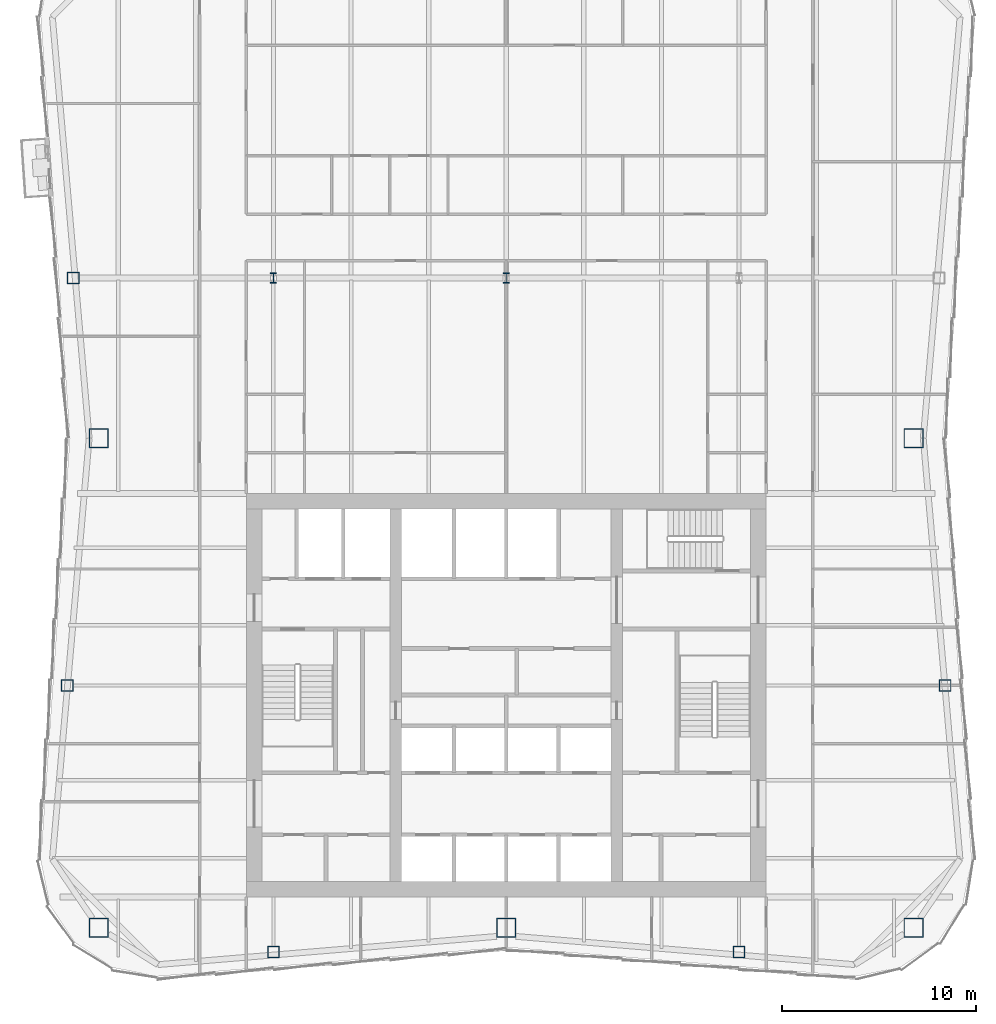
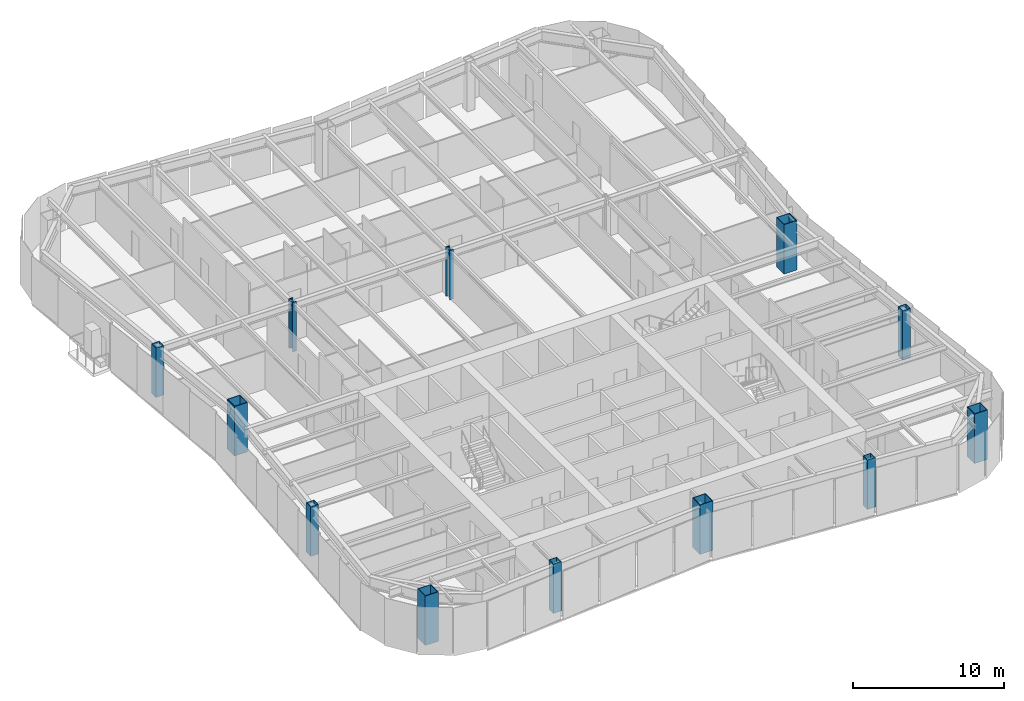
# One storey, part 1 of 12: 12 columns.
"""IFC4 building model written with IfcOpenShell, lengths in metres."""

import ifcopenshell
import ifcopenshell.guid

model = None  # the IFC model being written
_history = None  # IfcOwnerHistory: only IFC2X3 demands one
_inside = {}  # id of a spatial element -> (the spatial element, [elements in it])
_under = {}  # id of a project, library or spatial element -> (it, [spatial elements below it])
_declared = {}  # id of a project -> (the project, [libraries it declares])
_typed = {}  # id of a type object -> (the type object, [elements of that type])
_made_of = {}  # id of a material, layer set ... -> (it, [elements and type objects made of it])


def new_model(schema):
    """Start an empty IFC model of exactly this schema.

    Asked for "IFC4X3", IfcOpenShell would pick the latest addendum, in which some entities
    have other attributes; the version numbers below select the first issue.
    IFC2X3 requires an IfcOwnerHistory on every rooted entity: one is made here for all.
    """
    global model, _history
    if schema == "IFC4X3":
        model = ifcopenshell.file(schema_version=(4, 3, 0, 0))
    else:
        model = ifcopenshell.file(schema=schema)
    _inside.clear()
    _under.clear()
    _declared.clear()
    _typed.clear()
    _made_of.clear()
    _history = None
    if model.schema == "IFC2X3":
        org = make("IfcOrganization", Name="unknown")
        user = make(
            "IfcPersonAndOrganization",
            ThePerson=make("IfcPerson", FamilyName="unknown"),
            TheOrganization=org,
        )
        app = make(
            "IfcApplication",
            ApplicationDeveloper=org,
            Version="unknown",
            ApplicationFullName="unknown",
            ApplicationIdentifier="unknown",
        )
        _history = make(
            "IfcOwnerHistory",
            OwningUser=user,
            OwningApplication=app,
            ChangeAction="ADDED",
            CreationDate=0,
        )
    return model


def make(cls, **values):
    """One entity of the class cls with the attributes given. An attribute that is None is left unset."""
    return model.create_entity(
        cls, **{name: value for name, value in values.items() if value is not None}
    )


def rooted(cls, **values):
    """An entity with a GlobalId (a new one), such as an element, a storey or a relation."""
    return make(cls, GlobalId=ifcopenshell.guid.new(), OwnerHistory=_history, **values)


def si_unit(unit_type, name, prefix=None):
    """IfcSIUnit, for example si_unit("LENGTHUNIT", "METRE", prefix="MILLI")."""
    return make("IfcSIUnit", UnitType=unit_type, Prefix=prefix, Name=name)


def assignment(units):
    """IfcUnitAssignment: the units of a project."""
    return None if units is None else make("IfcUnitAssignment", Units=units)


def point(xyz):
    """IfcCartesianPoint."""
    return None if xyz is None else make("IfcCartesianPoint", Coordinates=xyz)


def direction(xyz):
    """IfcDirection."""
    return None if xyz is None else make("IfcDirection", DirectionRatios=xyz)


def frame(location, z_axis=None, x_axis=None):
    """IfcAxis2Placement3D, a coordinate frame: its origin and axes. An axis left out is left unset."""
    return make(
        "IfcAxis2Placement3D",
        Location=point(location),
        Axis=direction(z_axis),
        RefDirection=direction(x_axis),
    )


def frame_2d(location, x_axis=None):
    """IfcAxis2Placement2D, a coordinate frame in the plane: its origin and x axis."""
    return make(
        "IfcAxis2Placement2D", Location=point(location), RefDirection=direction(x_axis)
    )


def origin():
    """The frame at (0, 0, 0) with its axes left unset."""
    return frame((0.0, 0.0, 0.0))


def origin_2d():
    """The frame at (0, 0) in the plane with its x axis left unset."""
    return frame_2d((0.0, 0.0))


def place(relative_to, where):
    """IfcLocalPlacement: puts the frame where relative to a parent placement (None: the world)."""
    return make(
        "IfcLocalPlacement", PlacementRelTo=relative_to, RelativePlacement=where
    )


def context(
    kind, dimensions, precision=None, world=None, true_north=None, identifier=None
):
    """IfcGeometricRepresentationContext, for example the 3D "Model" context."""
    return make(
        "IfcGeometricRepresentationContext",
        ContextIdentifier=identifier,
        ContextType=kind,
        CoordinateSpaceDimension=dimensions,
        Precision=precision,
        WorldCoordinateSystem=world,
        TrueNorth=true_north,
    )


def subcontext(parent, identifier, kind, view, scale=None):
    """IfcGeometricRepresentationSubContext, for example "Body" below "Model"."""
    return make(
        "IfcGeometricRepresentationSubContext",
        ContextIdentifier=identifier,
        ContextType=kind,
        ParentContext=parent,
        TargetScale=scale,
        TargetView=view,
    )


def project(units=None, contexts=None):
    """IfcProject with its units and contexts."""
    return rooted(
        "IfcProject",
        Name="project",
        RepresentationContexts=contexts,
        UnitsInContext=assignment(units),
    )


def spatial(cls, under=None, at=None, **own):
    """A site, building, storey or space (cls), placed at a placement, below another one or the project."""
    s = rooted(cls, ObjectPlacement=at, **own)
    if under is not None:
        _under.setdefault(under.id(), (under, []))[1].append(s)
    return s


def profile(cls, at=None, kind="AREA", **sizes):
    """A parametric profile (cls). Its sizes go by their IFC names, for example OverallWidth=200.0."""
    return make(cls, ProfileType=kind, Position=at, **sizes)


def hollow_rectangle(**sizes):
    """IfcRectangleHollowProfileDef."""
    return profile("IfcRectangleHollowProfileDef", **sizes)


def i_section(**sizes):
    """IfcIShapeProfileDef."""
    return profile("IfcIShapeProfileDef", **sizes)


def extrude(swept, where, along, depth):
    """IfcExtrudedAreaSolid: the profile swept, set in the frame where, extruded along a direction by depth."""
    return make(
        "IfcExtrudedAreaSolid",
        SweptArea=swept,
        Position=where,
        ExtrudedDirection=direction(along),
        Depth=depth,
    )


def shape(context_of_items, identifier, shape_type, items):
    """IfcShapeRepresentation: the items that make up one representation, for example the "Body"."""
    return make(
        "IfcShapeRepresentation",
        ContextOfItems=context_of_items,
        RepresentationIdentifier=identifier,
        RepresentationType=shape_type,
        Items=items,
    )


def material(Name=None, Category=None):
    """IfcMaterial."""
    return make("IfcMaterial", Name=Name, Category=Category)


def material_profile(
    of_material, cross_section, Name=None, Category=None, Priority=None
):
    """IfcMaterialProfile: a cross section and its material."""
    return make(
        "IfcMaterialProfile",
        Name=Name,
        Material=of_material,
        Profile=cross_section,
        Priority=Priority,
        Category=Category,
    )


def profile_set(profiles, Name=None, composite=None):
    """IfcMaterialProfileSet."""
    return make(
        "IfcMaterialProfileSet",
        Name=Name,
        MaterialProfiles=profiles,
        CompositeProfile=composite,
    )


def made_of(thing, what):
    """Note that an element or type object is made of a material, layer set ...; save() writes the relation."""
    if what is not None:
        _made_of.setdefault(what.id(), (what, []))[1].append(thing)
    return thing


def type_object(cls, material=None, **own):
    """A type object (cls), such as IfcWallType, which elements share."""
    return made_of(rooted(cls, **own), material)


def element(
    cls,
    number,
    at=None,
    inside=None,
    cuts=None,
    type_object=None,
    material=None,
    context=None,
    identifier="Body",
    shape_type=None,
    held_by="IfcProductDefinitionShape",
    body=None,
    shapes=None,
    **own,
):
    """One element of the class cls, such as IfcWall. Its Tag is "e" and its number.

    at: its placement. inside: the storey or other place that contains it. cuts: it is an
    opening in that element (IfcRelVoidsElement). A single representation is given by context,
    identifier, shape_type and body (its items); several are given by shapes. held_by: the class
    of the entity that holds the representations. save() writes the other relations.
    """
    e = rooted(cls, Tag="e%d" % number, ObjectPlacement=at, **own)
    if body is not None:
        shapes = [shape(context, identifier, shape_type, body)]
    if shapes is not None:
        e.Representation = make(held_by, Representations=shapes)
    if inside is not None:
        _inside.setdefault(inside.id(), (inside, []))[1].append(e)
    if cuts is not None:
        rooted(
            "IfcRelVoidsElement", RelatingBuildingElement=cuts, RelatedOpeningElement=e
        )
    if type_object is not None:
        _typed.setdefault(type_object.id(), (type_object, []))[1].append(e)
    return made_of(e, material)


def aggregate(whole, parts):
    """IfcRelAggregates: a whole, such as a stair, and the parts it consists of."""
    return rooted("IfcRelAggregates", RelatingObject=whole, RelatedObjects=parts)


def save(model, path):
    """Write the relations noted so far, then the file.

    IfcRelAggregates (storeys below a building ...), IfcRelContainedInSpatialStructure (elements
    in a storey), IfcRelDefinesByType, IfcRelAssociatesMaterial and IfcRelDeclares: one each for
    every whole, place, type object, material and project.
    """
    for whole, parts in _under.values():
        aggregate(whole, parts)
    for where, things in _inside.values():
        rooted(
            "IfcRelContainedInSpatialStructure",
            RelatedElements=things,
            RelatingStructure=where,
        )
    for kind, things in _typed.values():
        rooted("IfcRelDefinesByType", RelatedObjects=things, RelatingType=kind)
    for what, things in _made_of.values():
        rooted("IfcRelAssociatesMaterial", RelatedObjects=things, RelatingMaterial=what)
    for by, libraries in _declared.values():
        rooted("IfcRelDeclares", RelatingContext=by, RelatedDefinitions=libraries)
    model.write(path)


model = new_model("IFC4")

# Units and contexts
model_context = context("Model", 3, precision=1e-05, world=origin(), true_north=direction((0.0, 1.0)))
body_context = subcontext(model_context, "Body", "Model", "MODEL_VIEW")
ifc_project = project(units=[si_unit("LENGTHUNIT", "METRE"), si_unit("AREAUNIT", "SQUARE_METRE"), si_unit("VOLUMEUNIT", "CUBIC_METRE"), si_unit("PLANEANGLEUNIT", "RADIAN"), si_unit("MASSUNIT", "GRAM", prefix="KILO")], contexts=[model_context])

# Site, building, storey
site_placement = place(None, origin())
site = spatial("IfcSite", under=ifc_project, at=site_placement, CompositionType="ELEMENT")
building_placement = place(site_placement, origin())
building = spatial("IfcBuilding", under=site, at=building_placement, Name="Verdant Reach Tower", CompositionType="ELEMENT")
storey_placement = place(building_placement, frame((0.0, 0.0, 246.0)))
storey = spatial("IfcBuildingStorey", under=building, at=storey_placement, Name="L56", CompositionType="ELEMENT", Elevation=246.0)

# Columns
ifc_material = material(Name="Steel S460", Category="steel")
ifc_material_profile_1 = material_profile(ifc_material, i_section(OverallWidth=0.305908203125, OverallDepth=0.52392578125, WebThickness=0.012451171875, FlangeThickness=0.0400390625, FilletRadius=0.027099609375, at=origin_2d()), Name="HEM 500")
ifc_profile_set_1 = profile_set([ifc_material_profile_1], Name="Steel S460")
column_type_1 = type_object("IfcColumnType", Name="ST-COL-HEM500", PredefinedType="COLUMN", material=ifc_profile_set_1)
for number, where, z_axis, x_axis, name in (
    (1, (-12.0, 49.5, 0.0), (0.0, 0.0, 1.0), (1.0, 0.0, 0.0), "Interior column 1, L56"),
    (2, (0.0, 49.5, 0.0), (0.0, 0.0, 1.0), (1.0, 0.0, 0.0), "Interior column 2, L56"),
):
    element("IfcColumn", number, at=place(storey_placement, frame(where, z_axis=z_axis, x_axis=x_axis)), inside=storey, type_object=column_type_1, Name=name, PredefinedType="COLUMN", context=body_context, shape_type="SweptSolid", body=[
        extrude(i_section(OverallWidth=0.305908203125, OverallDepth=0.52392578125, WebThickness=0.012451171875, FlangeThickness=0.0400390625, FilletRadius=0.027099609375, at=origin_2d()), origin(), (0.0, 0.0, 1.0), 4.0),
    ])
ifc_material_profile_2 = material_profile(ifc_material, hollow_rectangle(XDim=1.0, YDim=1.0, WallThickness=0.044921875, at=origin_2d()), Name="WB 1000x1000x45")
ifc_profile_set_2 = profile_set([ifc_material_profile_2], Name="Steel S460")
column_type_2 = type_object("IfcColumnType", Name="ST-COL-WB1000x1000x45", PredefinedType="COLUMN", material=ifc_profile_set_2)
for number, where, z_axis, x_axis, name in (
    (3, (21.0, 41.25, 0.0), (0.0, 0.0, 1.0), (1.0, 0.0, 0.0), "Mega column east, L56"),
    (4, (21.0, 16.0, 0.0), (0.0, 0.0, 1.0), (1.0, 0.0, 0.0), "Mega column south-east, L56"),
    (5, (0.0, 16.0, 0.0), (0.0, 0.0, 1.0), (1.0, 0.0, 0.0), "Mega column south, L56"),
    (6, (-21.0, 16.0, 0.0), (0.0, 0.0, 1.0), (1.0, 0.0, 0.0), "Mega column south-west, L56"),
    (7, (-21.0, 41.25, 0.0), (0.0, 0.0, 1.0), (1.0, 0.0, 0.0), "Mega column west, L56"),
):
    element("IfcColumn", number, at=place(storey_placement, frame(where, z_axis=z_axis, x_axis=x_axis)), inside=storey, type_object=column_type_2, Name=name, PredefinedType="COLUMN", context=body_context, shape_type="SweptSolid", body=[
        extrude(hollow_rectangle(XDim=1.0, YDim=1.0, WallThickness=0.044921875, at=origin_2d()), origin(), (0.0, 0.0, 1.0), 4.0),
    ])
ifc_material_profile_3 = material_profile(ifc_material, hollow_rectangle(XDim=0.60009765625, YDim=0.60009765625, WallThickness=0.02490234375, at=origin_2d()), Name="WB 600x600x25")
ifc_profile_set_3 = profile_set([ifc_material_profile_3], Name="Steel S460")
column_type_3 = type_object("IfcColumnType", Name="ST-COL-WB600x600x25", PredefinedType="COLUMN", material=ifc_profile_set_3)
for number, where, z_axis, x_axis, name in (
    (8, (-12.0, 14.75, 0.0), (0.0, 0.0, 1.0), (1.0, 0.0, 0.0), "Perimeter column south 1, L56"),
    (9, (12.0, 14.75, 0.0), (0.0, 0.0, 1.0), (1.0, 0.0, 0.0), "Perimeter column south 2, L56"),
    (10, (22.62939453125, 28.5, 0.0), (0.0, 0.0, 1.0), (1.0, 0.0, 0.0), "Perimeter column east 1, L56"),
    (11, (-22.62939453125, 28.5, 0.0), (0.0, 0.0, 1.0), (1.0, 0.0, 0.0), "Perimeter column west 1, L56"),
    (12, (-22.319091796875, 49.5, 0.0), (0.0, 0.0, 1.0), (1.0, 0.0, 0.0), "Perimeter column west 2, L56"),
):
    element("IfcColumn", number, at=place(storey_placement, frame(where, z_axis=z_axis, x_axis=x_axis)), inside=storey, type_object=column_type_3, Name=name, PredefinedType="COLUMN", context=body_context, shape_type="SweptSolid", body=[
        extrude(hollow_rectangle(XDim=0.60009765625, YDim=0.60009765625, WallThickness=0.02490234375, at=origin_2d()), origin(), (0.0, 0.0, 1.0), 4.0),
    ])

save(model, "model.ifc")
